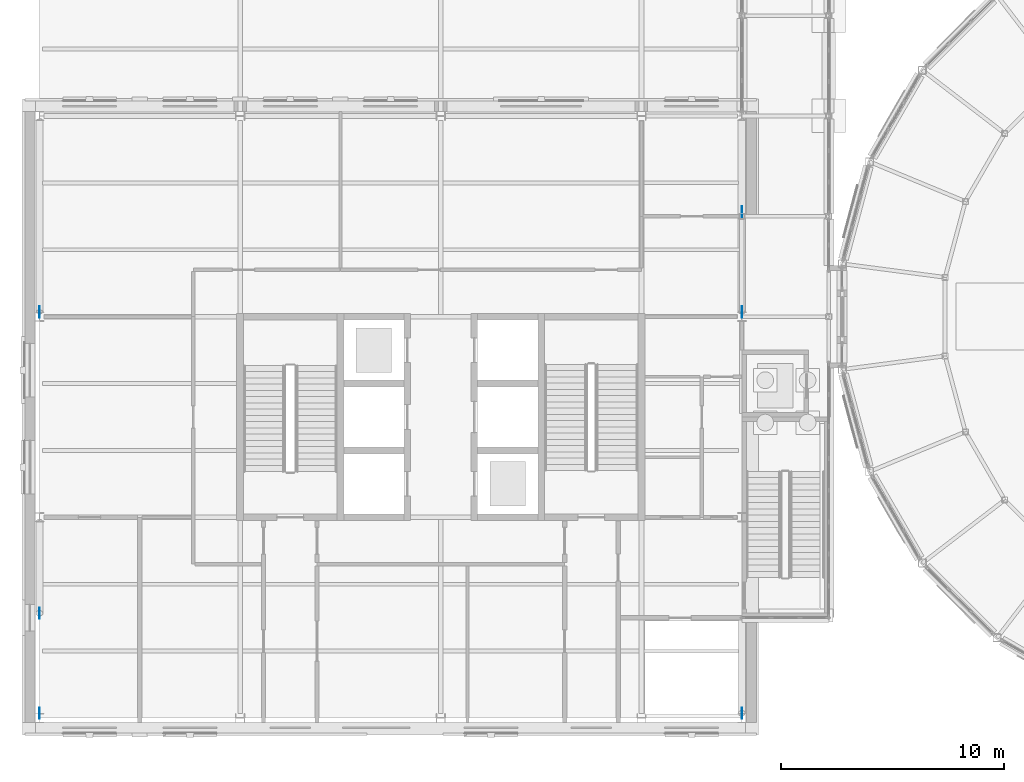
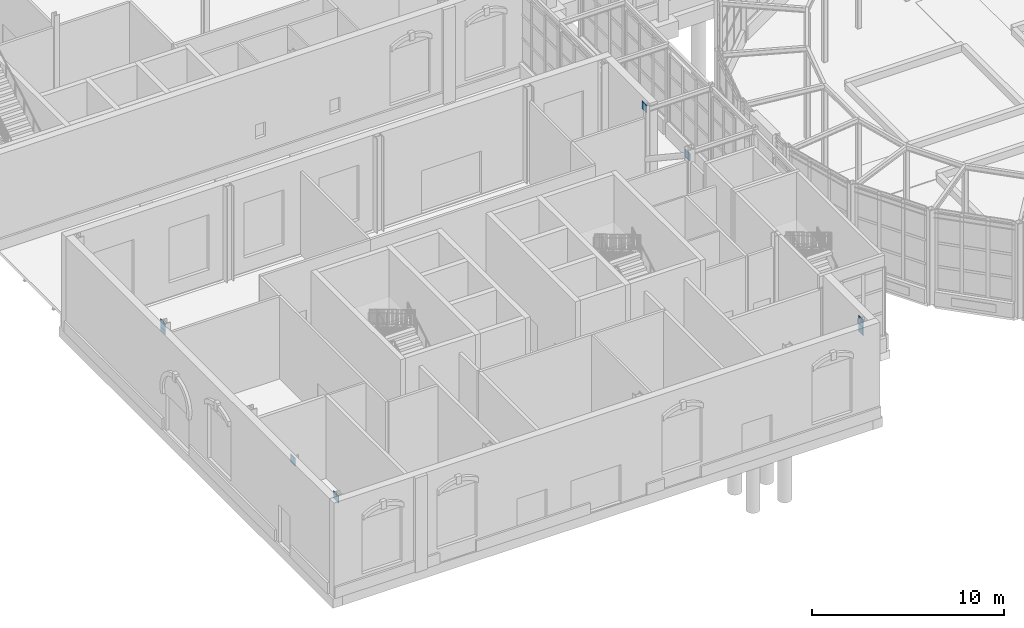
# One storey, part 78 of 106: 8 discrete accessories.
"""IFC4 building model written with IfcOpenShell, lengths in metres."""

from ifc_helpers import new_model, si_unit, direction, frame, origin, origin_2d, place, context, subcontext, project, spatial, rectangle, extrude, material, type_object, element, save


model = new_model("IFC4")

# Units and contexts
model_context = context("Model", 3, precision=1e-05, world=origin(), true_north=direction((0.0, 1.0)))
body_context = subcontext(model_context, "Body", "Model", "MODEL_VIEW")
ifc_project = project(units=[si_unit("LENGTHUNIT", "METRE"), si_unit("AREAUNIT", "SQUARE_METRE"), si_unit("VOLUMEUNIT", "CUBIC_METRE"), si_unit("PLANEANGLEUNIT", "RADIAN"), si_unit("MASSUNIT", "GRAM", prefix="KILO")], contexts=[model_context])

# Site, building, storey
site_placement = place(None, origin())
site = spatial("IfcSite", under=ifc_project, at=site_placement, CompositionType="ELEMENT")
building_placement = place(site_placement, origin())
building = spatial("IfcBuilding", under=site, at=building_placement, Name="Hortulan Conservatory and Botanical Research Centre", CompositionType="ELEMENT")
storey_placement = place(building_placement, origin())
storey = spatial("IfcBuildingStorey", under=building, at=storey_placement, Name="L00", CompositionType="ELEMENT", Elevation=0.0)

# Discrete accessories
ifc_material = material(Name="Steel Grade 300 plate (AS/NZS 3678, 280 MPa minimum yield)", Category="steel")
discrete_accessory_type = type_object("IfcDiscreteAccessoryType", Name="End Plate 500x20", PredefinedType="BRACKET", material=ifc_material)
for number, where, z_axis, x_axis, name in (
    (1, (0.0, 0.2109375, 5.382080078125), (0.0, 0.0, 1.0), (0.0, -1.0, 0.0), "Brace end plate"),
    (2, (0.0, 4.699951171875, 5.010986328125), (0.0, 0.0, 1.0), (0.0, -1.0, 0.0), "Brace end plate"),
    (3, (0.0, 18.2109375, 5.136474609375), (0.0, 0.0, 1.0), (0.0, -1.0, 0.0), "Brace end plate"),
    (4, (0.0, 18.2109375, 5.382080078125), (0.0, 0.0, 1.0), (0.0, -1.0, 0.0), "Brace end plate"),
    (5, (31.5, 0.2109375, 4.983154296875), (0.0, 0.0, 1.0), (0.0, -1.0, 0.0), "Brace end plate"),
    (6, (31.5, 0.2109375, 5.497314453125), (0.0, 0.0, 1.0), (0.0, -1.0, 0.0), "Brace end plate"),
    (7, (31.5, 18.2109375, 5.136474609375), (0.0, 0.0, 1.0), (0.0, -1.0, 0.0), "Brace end plate"),
    (8, (31.5, 22.699951171875, 5.4765625), (0.0, 0.0, 1.0), (0.0, -1.0, 0.0), "Brace end plate"),
):
    element("IfcDiscreteAccessory", number, at=place(storey_placement, frame(where, z_axis=z_axis, x_axis=x_axis)), inside=storey, type_object=discrete_accessory_type, Name=name, PredefinedType="BRACKET", context=body_context, shape_type="SweptSolid", body=[
        extrude(rectangle(XDim=0.5, YDim=0.02001953125, at=origin_2d()), origin(), (0.0, 0.0, 1.0), 0.5),
    ])

save(model, "model.ifc")
